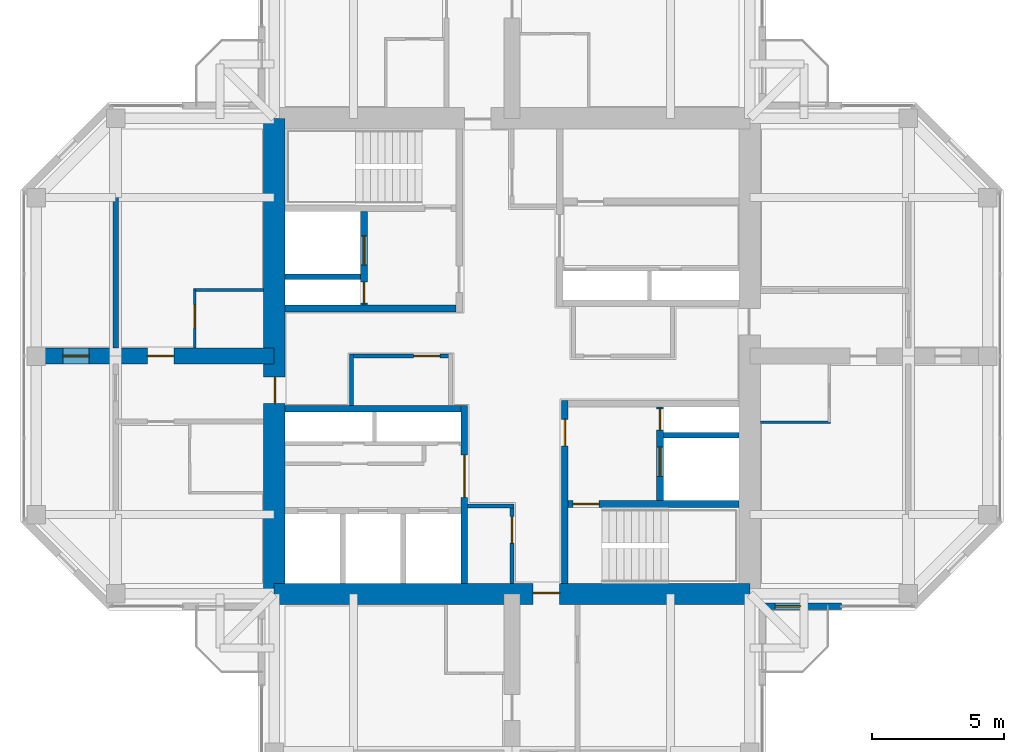
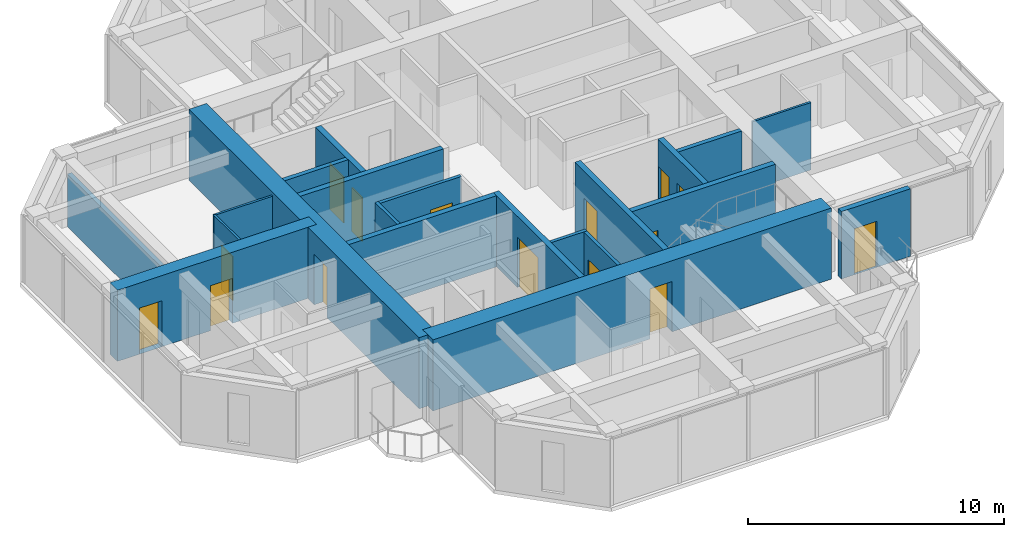
# One storey, part 9 of 13: 21 walls, 15 doors, 15 openings.
"""IFC4 building model written with IfcOpenShell, lengths in metres."""

from ifc_helpers import new_model, si_unit, direction, frame, frame_2d, origin, place, context, subcontext, project, spatial, rectangle, hollow_rectangle, extrude, material, layer, layer_set, constituent, constituent_set, type_object, element, fill, save


model = new_model("IFC4")

# Units and contexts
model_context = context("Model", 3, precision=1e-05, world=origin(), true_north=direction((0.0, 1.0)))
body_context = subcontext(model_context, "Body", "Model", "MODEL_VIEW")
ifc_project = project(units=[si_unit("LENGTHUNIT", "METRE"), si_unit("AREAUNIT", "SQUARE_METRE"), si_unit("VOLUMEUNIT", "CUBIC_METRE"), si_unit("PLANEANGLEUNIT", "RADIAN"), si_unit("MASSUNIT", "GRAM", prefix="KILO")], contexts=[model_context])

# Site, building, storey
site_placement = place(None, origin())
site = spatial("IfcSite", under=ifc_project, at=site_placement, CompositionType="ELEMENT")
building_placement = place(site_placement, origin())
building = spatial("IfcBuilding", under=site, at=building_placement, Name="Torre Cruceta", CompositionType="ELEMENT")
storey_placement = place(building_placement, frame((0.0, 0.0, 271.300048828125)))
storey = spatial("IfcBuildingStorey", under=building, at=storey_placement, Name="L70", CompositionType="ELEMENT", Elevation=271.300048828125)

# Walls
ifc_material_1 = material(Name="Water-resistant plasterboard on steel studs", Category="steel")
ifc_layer_1 = layer(ifc_material_1, 0.10009765625)
ifc_layer_set_1 = layer_set([ifc_layer_1], Name="Water-resistant plasterboard on steel studs")
wall_type_1 = type_object("IfcWallType", Name="BATHROOM WALL 100", PredefinedType="PARTITIONING", material=ifc_layer_set_1)
for number, where, z_axis, x_axis, name in (
    (1, (9.39990234375, -2.5, 0.0), (0.0, 0.0, 1.0), (1.0, 0.0, 0.0), "PT4 L70-E-U1RBB"),
    (2, (-9.39990234375, 2.5, 0.0), (0.0, 0.0, 1.0), (-1.0, 0.0, 0.0), "PT4 L70-W-U1RBB"),
):
    element("IfcWall", number, at=place(storey_placement, frame(where, z_axis=z_axis, x_axis=x_axis)), inside=storey, type_object=wall_type_1, Name=name, PredefinedType="PARTITIONING", context=body_context, shape_type="SweptSolid", body=[
        extrude(rectangle(XDim=2.650146484375, YDim=0.10009765625, at=frame_2d((1.3251953125, 0.0))), origin(), (0.0, 0.0, 1.0), 3.219970703125),
    ])

# Wall, opening, door
wall_1_placement = place(storey_placement, frame((-12.0, 2.5, 0.0), z_axis=(0.0, 0.0, 1.0), x_axis=(0.0, -1.0, 0.0)))
wall_1 = element("IfcWall", 3, at=wall_1_placement, inside=storey, type_object=wall_type_1, Name="PT4 L70-W-U1RBS", PredefinedType="PARTITIONING", context=body_context, shape_type="SweptSolid", body=[
    extrude(rectangle(XDim=2.199951171875, YDim=0.10009765625, at=frame_2d((1.10009765625, 0.0))), origin(), (0.0, 0.0, 1.0), 3.219970703125),
])
opening_1_placement = place(wall_1_placement, frame((0.550048828125, 0.0, 0.0)))
opening_1 = element("IfcOpeningElement", 4, at=opening_1_placement, cuts=wall_1, Name="Opening D7", PredefinedType="OPENING", context=body_context, shape_type="SweptSolid", body=[
    extrude(rectangle(XDim=0.89990234375, YDim=2.10009765625, at=frame_2d((0.449951171875, 1.050048828125))), frame((0.0, 0.06005859375, 0.0), z_axis=(0.0, -1.0, 0.0), x_axis=(1.0, 0.0, 0.0)), (0.0, 0.0, 1.0), 0.1201171875),
])
ifc_material_2 = material(Name="Timber door", Category="wood")
door_type_1 = type_object("IfcDoorType", Name="BATHROOM DOOR 900X2100", OperationType="SINGLE_SWING_LEFT", PredefinedType="DOOR", material=ifc_material_2)
door_1_placement = place(opening_1_placement, origin())
door_1 = element("IfcDoor", 5, at=door_1_placement, inside=storey, type_object=door_type_1, Name="D7 L70-W-U1RBS-D1", OperationType="SINGLE_SWING_LEFT", OverallHeight=2.10009765625, OverallWidth=0.89990234375, PredefinedType="DOOR", context=body_context, shape_type="SweptSolid", body=[
    extrude(rectangle(XDim=0.89990234375, YDim=2.10009765625, at=frame_2d((0.449951171875, 1.050048828125))), frame((0.0, 0.02490234375, 0.0), z_axis=(0.0, -1.0, 0.0), x_axis=(1.0, 0.0, 0.0)), (0.0, 0.0, 1.0), 0.050048828125),
])
fill(opening_1, door_1)

# Wall
ifc_material_3 = material(Name="Concrete G60 (fck 60 MPa)", Category="concrete")
ifc_layer_2 = layer(ifc_material_3, 0.25)
ifc_layer_set_2 = layer_set([ifc_layer_2], Name="Concrete G60 (fck 60 MPa)")
wall_type_2 = type_object("IfcWallType", Name="CORE INNER WALL 250 G60", PredefinedType="SHEAR", material=ifc_layer_set_2)
wall_2_placement = place(storey_placement, frame((-2.125, 1.800048828125, 0.0), z_axis=(0.0, 0.0, 1.0), x_axis=(-1.0, 0.0, 0.0)))
element("IfcWall", 6, at=wall_2_placement, inside=storey, type_object=wall_type_2, Name="CW4 L70 NW-CV", PredefinedType="SHEAR", context=body_context, shape_type="SweptSolid", body=[
    extrude(rectangle(XDim=6.47509765625, YDim=0.25, at=frame_2d((3.237548828125, 0.0))), origin(), (0.0, 0.0, 1.0), 3.39990234375),
])

# Wall, openings, doors
wall_3_placement = place(storey_placement, frame((-5.60009765625, 1.925048828125, 0.0), z_axis=(0.0, 0.0, 1.0), x_axis=(0.0, 1.0, 0.0)))
wall_3 = element("IfcWall", 7, at=wall_3_placement, inside=storey, type_object=wall_type_2, Name="CW4 L70 NW-FU", PredefinedType="SHEAR", context=body_context, shape_type="SweptSolid", body=[
    extrude(rectangle(XDim=3.550048828125, YDim=0.25, at=frame_2d((1.77490234375, 0.0))), origin(), (0.0, 0.0, 1.0), 3.39990234375),
])
opening_2_placement = place(wall_3_placement, frame((1.52490234375, 0.0, 0.0)))
opening_2 = element("IfcOpeningElement", 8, at=opening_2_placement, cuts=wall_3, Name="Opening LD1", PredefinedType="OPENING", context=body_context, shape_type="SweptSolid", body=[
    extrude(rectangle(XDim=1.10009765625, YDim=2.199951171875, at=frame_2d((0.550048828125, 1.10009765625))), frame((0.0, 0.135009765625, 0.0), z_axis=(0.0, -1.0, 0.0), x_axis=(1.0, 0.0, 0.0)), (0.0, 0.0, 1.0), 0.27001953125),
])
opening_3_placement = place(wall_3_placement, frame((0.074951171875, 0.0, 0.0)))
opening_3 = element("IfcOpeningElement", 9, at=opening_3_placement, cuts=wall_3, Name="Opening D5", PredefinedType="OPENING", context=body_context, shape_type="SweptSolid", body=[
    extrude(rectangle(XDim=0.800048828125, YDim=2.10009765625, at=frame_2d((0.39990234375, 1.050048828125))), frame((0.0, 0.135009765625, 0.0), z_axis=(0.0, -1.0, 0.0), x_axis=(1.0, 0.0, 0.0)), (0.0, 0.0, 1.0), 0.27001953125),
])
ifc_material_4 = material(Name="Stainless steel 1.4401", Category="steel")
door_type_2 = type_object("IfcDoorType", Name="LIFT LANDING DOOR 1100X2200", OperationType="DOUBLE_DOOR_SLIDING", PredefinedType="DOOR", material=ifc_material_4)
door_2_placement = place(opening_2_placement, origin())
door_2 = element("IfcDoor", 10, at=door_2_placement, inside=storey, type_object=door_type_2, Name="Lift landing door FL1", OperationType="DOUBLE_DOOR_SLIDING", OverallHeight=2.199951171875, OverallWidth=1.10009765625, PredefinedType="DOOR", context=body_context, shape_type="SweptSolid", body=[
    extrude(rectangle(XDim=1.10009765625, YDim=2.199951171875, at=frame_2d((0.550048828125, 1.10009765625))), frame((0.0, 0.02490234375, 0.0), z_axis=(0.0, -1.0, 0.0), x_axis=(1.0, 0.0, 0.0)), (0.0, 0.0, 1.0), 0.050048828125),
])
fill(opening_2, door_2)
ifc_material_5 = material(Name="Steel DX51D", Category="steel")
ifc_constituent_1 = constituent(ifc_material_5, Name="Leaf and frame")
ifc_material_6 = material(Name="Polyester powder coating", Category="paint")
ifc_constituent_2 = constituent(ifc_material_6, Name="Finish")
ifc_constituent_set_1 = constituent_set(constituents=[ifc_constituent_1, ifc_constituent_2], Name="Steel fire door")
door_type_3 = type_object("IfcDoorType", Name="RISER ACCESS DOOR 800X2100", OperationType="SINGLE_SWING_LEFT", PredefinedType="DOOR", material=ifc_constituent_set_1)
door_3_placement = place(opening_3_placement, origin())
door_3 = element("IfcDoor", 11, at=door_3_placement, inside=storey, type_object=door_type_3, Name="D5 L70 NW-RISER", OperationType="SINGLE_SWING_LEFT", OverallHeight=2.10009765625, OverallWidth=0.800048828125, PredefinedType="DOOR", context=body_context, shape_type="SweptSolid", body=[
    extrude(rectangle(XDim=0.800048828125, YDim=2.10009765625, at=frame_2d((0.39990234375, 1.050048828125))), frame((0.0, 0.02490234375, 0.0), z_axis=(0.0, -1.0, 0.0), x_axis=(1.0, 0.0, 0.0)), (0.0, 0.0, 1.0), 0.050048828125),
])
fill(opening_3, door_3)

# Wall, opening, door
wall_4_placement = place(storey_placement, frame((-1.800048828125, -1.875, 0.0), z_axis=(0.0, 0.0, 1.0), x_axis=(0.0, -1.0, 0.0)))
wall_4 = element("IfcWall", 12, at=wall_4_placement, inside=storey, type_object=wall_type_2, Name="CW4 L70 SW-CU", PredefinedType="SHEAR", context=body_context, shape_type="SweptSolid", body=[
    extrude(rectangle(XDim=6.72509765625, YDim=0.25, at=frame_2d((3.362548828125, 0.0))), origin(), (0.0, 0.0, 1.0), 3.39990234375),
])
opening_4_placement = place(wall_4_placement, frame((1.875, 0.0, 0.0)))
opening_4 = element("IfcOpeningElement", 13, at=opening_4_placement, cuts=wall_4, Name="Opening D8", PredefinedType="OPENING", context=body_context, shape_type="SweptSolid", body=[
    extrude(rectangle(XDim=1.60009765625, YDim=2.39990234375, at=frame_2d((0.800048828125, 1.199951171875))), frame((0.0, 0.135009765625, 0.0), z_axis=(0.0, -1.0, 0.0), x_axis=(1.0, 0.0, 0.0)), (0.0, 0.0, 1.0), 0.27001953125),
])
ifc_material_7 = material(Name="Steel DX51D", Category="steel")
ifc_constituent_3 = constituent(ifc_material_7, Name="Leaf and frame")
ifc_material_8 = material(Name="Polyester powder coating", Category="paint")
ifc_constituent_4 = constituent(ifc_material_8, Name="Finish")
ifc_material_9 = material(Name="Fire-resisting glass", Category="glass")
ifc_constituent_5 = constituent(ifc_material_9, Name="Vision panel")
ifc_constituent_set_2 = constituent_set(constituents=[ifc_constituent_3, ifc_constituent_4, ifc_constituent_5], Name="Steel fire door with vision panels")
door_type_4 = type_object("IfcDoorType", Name="LIFT LOBBY DOUBLE DOOR 1600X2400", OperationType="DOUBLE_DOOR_DOUBLE_SWING", PredefinedType="DOOR", material=ifc_constituent_set_2)
door_4_placement = place(opening_4_placement, origin())
door_4 = element("IfcDoor", 14, at=door_4_placement, inside=storey, type_object=door_type_4, Name="D8 L70 SW-LOBBY", OperationType="DOUBLE_DOOR_DOUBLE_SWING", OverallHeight=2.39990234375, OverallWidth=1.60009765625, PredefinedType="DOOR", context=body_context, shape_type="SweptSolid", body=[
    extrude(rectangle(XDim=1.60009765625, YDim=2.39990234375, at=frame_2d((0.800048828125, 1.199951171875))), frame((0.0, 0.02490234375, 0.0), z_axis=(0.0, -1.0, 0.0), x_axis=(1.0, 0.0, 0.0)), (0.0, 0.0, 1.0), 0.050048828125),
])
fill(opening_4, door_4)

# Wall
wall_5_placement = place(storey_placement, frame((-1.925048828125, -2.0, 0.0), z_axis=(0.0, 0.0, 1.0), x_axis=(-1.0, 0.0, 0.0)))
element("IfcWall", 15, at=wall_5_placement, inside=storey, type_object=wall_type_2, Name="CW4 L70 SW-CV", PredefinedType="SHEAR", context=body_context, shape_type="SweptSolid", body=[
    extrude(rectangle(XDim=6.675048828125, YDim=0.25, at=frame_2d((3.33740234375, 0.0))), origin(), (0.0, 0.0, 1.0), 3.39990234375),
])

# Wall, opening, door
wall_6_placement = place(storey_placement, frame((2.0, -1.675048828125, 0.0), z_axis=(0.0, 0.0, 1.0), x_axis=(0.0, -1.0, 0.0)))
wall_6 = element("IfcWall", 16, at=wall_6_placement, inside=storey, type_object=wall_type_2, Name="CW4 L70 SE-CU", PredefinedType="SHEAR", context=body_context, shape_type="SweptSolid", body=[
    extrude(rectangle(XDim=6.925048828125, YDim=0.25, at=frame_2d((3.46240234375, 0.0))), origin(), (0.0, 0.0, 1.0), 3.39990234375),
])
opening_5_placement = place(wall_6_placement, frame((0.72509765625, 0.0, 0.0)))
opening_5 = element("IfcOpeningElement", 17, at=opening_5_placement, cuts=wall_6, Name="Opening D3", PredefinedType="OPENING", context=body_context, shape_type="SweptSolid", body=[
    extrude(rectangle(XDim=1.0, YDim=2.10009765625, at=frame_2d((0.5, 1.050048828125))), frame((0.0, 0.135009765625, 0.0), z_axis=(0.0, -1.0, 0.0), x_axis=(1.0, 0.0, 0.0)), (0.0, 0.0, 1.0), 0.27001953125),
])
ifc_material_10 = material(Name="Steel DX51D", Category="steel")
ifc_constituent_6 = constituent(ifc_material_10, Name="Leaf and frame")
ifc_material_11 = material(Name="Polyester powder coating", Category="paint")
ifc_constituent_7 = constituent(ifc_material_11, Name="Finish")
ifc_constituent_set_3 = constituent_set(constituents=[ifc_constituent_6, ifc_constituent_7], Name="Steel fire door")
door_type_5 = type_object("IfcDoorType", Name="FIRE DOOR 1000X2100", OperationType="SINGLE_SWING_LEFT", PredefinedType="DOOR", material=ifc_constituent_set_3)
door_5_placement = place(opening_5_placement, origin())
door_5 = element("IfcDoor", 18, at=door_5_placement, inside=storey, type_object=door_type_5, Name="D3 L70 SE-LOBBY", OperationType="SINGLE_SWING_LEFT", OverallHeight=2.10009765625, OverallWidth=1.0, PredefinedType="DOOR", context=body_context, shape_type="SweptSolid", body=[
    extrude(rectangle(XDim=1.0, YDim=2.10009765625, at=frame_2d((0.5, 1.050048828125))), frame((0.0, 0.02490234375, 0.0), z_axis=(0.0, -1.0, 0.0), x_axis=(1.0, 0.0, 0.0)), (0.0, 0.0, 1.0), 0.050048828125),
])
fill(opening_5, door_5)

wall_7_placement = place(storey_placement, frame((2.125, -5.60009765625, 0.0), z_axis=(0.0, 0.0, 1.0), x_axis=(1.0, 0.0, 0.0)))
wall_7 = element("IfcWall", 19, at=wall_7_placement, inside=storey, type_object=wall_type_2, Name="CW4 L70 SE-SV", PredefinedType="SHEAR", context=body_context, shape_type="SweptSolid", body=[
    extrude(rectangle(XDim=6.47509765625, YDim=0.25, at=frame_2d((3.237548828125, 0.0))), origin(), (0.0, 0.0, 1.0), 3.39990234375),
])
opening_6_placement = place(wall_7_placement, frame((0.175048828125, 0.0, 0.0)))
opening_6 = element("IfcOpeningElement", 20, at=opening_6_placement, cuts=wall_7, Name="Opening D3", PredefinedType="OPENING", context=body_context, shape_type="SweptSolid", body=[
    extrude(rectangle(XDim=1.0, YDim=2.10009765625, at=frame_2d((0.5, 1.050048828125))), frame((0.0, 0.135009765625, 0.0), z_axis=(0.0, -1.0, 0.0), x_axis=(1.0, 0.0, 0.0)), (0.0, 0.0, 1.0), 0.27001953125),
])
door_6_placement = place(opening_6_placement, frame((1.0, 0.0, 0.0), z_axis=(0.0, 0.0, 1.0), x_axis=(-1.0, 0.0, 0.0)))
door_6 = element("IfcDoor", 21, at=door_6_placement, inside=storey, type_object=door_type_5, Name="D3 L70 SE-STAIR", OperationType="SINGLE_SWING_RIGHT", OverallHeight=2.10009765625, OverallWidth=1.0, PredefinedType="DOOR", context=body_context, shape_type="SweptSolid", body=[
    extrude(rectangle(XDim=1.0, YDim=2.10009765625, at=frame_2d((0.5, 1.050048828125))), frame((0.0, 0.025146484375, 0.0), z_axis=(0.0, -1.0, 0.0), x_axis=(1.0, 0.0, 0.0)), (0.0, 0.0, 1.0), 0.050048828125),
])
fill(opening_6, door_6)

# Wall, openings, doors
wall_8_placement = place(storey_placement, frame((5.60009765625, -1.925048828125, 0.0), z_axis=(0.0, 0.0, 1.0), x_axis=(0.0, -1.0, 0.0)))
wall_8 = element("IfcWall", 22, at=wall_8_placement, inside=storey, type_object=wall_type_2, Name="CW4 L70 SE-FU", PredefinedType="SHEAR", context=body_context, shape_type="SweptSolid", body=[
    extrude(rectangle(XDim=3.550048828125, YDim=0.25, at=frame_2d((1.77490234375, 0.0))), origin(), (0.0, 0.0, 1.0), 3.39990234375),
])
opening_7_placement = place(wall_8_placement, frame((1.52490234375, 0.0, 0.0)))
opening_7 = element("IfcOpeningElement", 23, at=opening_7_placement, cuts=wall_8, Name="Opening LD1", PredefinedType="OPENING", context=body_context, shape_type="SweptSolid", body=[
    extrude(rectangle(XDim=1.10009765625, YDim=2.199951171875, at=frame_2d((0.550048828125, 1.10009765625))), frame((0.0, 0.135009765625, 0.0), z_axis=(0.0, -1.0, 0.0), x_axis=(1.0, 0.0, 0.0)), (0.0, 0.0, 1.0), 0.27001953125),
])
opening_8_placement = place(wall_8_placement, frame((0.074951171875, 0.0, 0.0)))
opening_8 = element("IfcOpeningElement", 24, at=opening_8_placement, cuts=wall_8, Name="Opening D5", PredefinedType="OPENING", context=body_context, shape_type="SweptSolid", body=[
    extrude(rectangle(XDim=0.800048828125, YDim=2.10009765625, at=frame_2d((0.39990234375, 1.050048828125))), frame((0.0, 0.135009765625, 0.0), z_axis=(0.0, -1.0, 0.0), x_axis=(1.0, 0.0, 0.0)), (0.0, 0.0, 1.0), 0.27001953125),
])
door_7_placement = place(opening_7_placement, origin())
door_7 = element("IfcDoor", 25, at=door_7_placement, inside=storey, type_object=door_type_2, Name="Lift landing door FL2", OperationType="DOUBLE_DOOR_SLIDING", OverallHeight=2.199951171875, OverallWidth=1.10009765625, PredefinedType="DOOR", context=body_context, shape_type="SweptSolid", body=[
    extrude(rectangle(XDim=1.10009765625, YDim=2.199951171875, at=frame_2d((0.550048828125, 1.10009765625))), frame((0.0, 0.02490234375, 0.0), z_axis=(0.0, -1.0, 0.0), x_axis=(1.0, 0.0, 0.0)), (0.0, 0.0, 1.0), 0.050048828125),
])
fill(opening_7, door_7)
door_8_placement = place(opening_8_placement, origin())
door_8 = element("IfcDoor", 26, at=door_8_placement, inside=storey, type_object=door_type_3, Name="D5 L70 SE-RISER", OperationType="SINGLE_SWING_LEFT", OverallHeight=2.10009765625, OverallWidth=0.800048828125, PredefinedType="DOOR", context=body_context, shape_type="SweptSolid", body=[
    extrude(rectangle(XDim=0.800048828125, YDim=2.10009765625, at=frame_2d((0.39990234375, 1.050048828125))), frame((0.0, 0.02490234375, 0.0), z_axis=(0.0, -1.0, 0.0), x_axis=(1.0, 0.0, 0.0)), (0.0, 0.0, 1.0), 0.050048828125),
])
fill(opening_8, door_8)

# Wall, opening, door
ifc_material_12 = material(Name="Concrete G60 (fck 60 MPa)", Category="concrete")
ifc_layer_3 = layer(ifc_material_12, 0.800048828125)
ifc_layer_set_3 = layer_set([ifc_layer_3], Name="Concrete G60 (fck 60 MPa)")
wall_type_3 = type_object("IfcWallType", Name="CORE WALL 800 G60", PredefinedType="SHEAR", material=ifc_layer_set_3)
wall_9_placement = place(storey_placement, frame((-9.0, -9.0, 0.0), z_axis=(0.0, 0.0, 1.0), x_axis=(1.0, 0.0, 0.0)))
wall_9 = element("IfcWall", 27, at=wall_9_placement, inside=storey, type_object=wall_type_3, Name="CW3 L70 CW-S", PredefinedType="SHEAR", context=body_context, shape_type="SweptSolid", body=[
    extrude(rectangle(XDim=18.0, YDim=0.800048828125, at=frame_2d((9.0, 0.0))), origin(), (0.0, 0.0, 1.0), 3.39990234375),
])
opening_9_placement = place(wall_9_placement, frame((9.800048828125, 0.0, 0.0)))
opening_9 = element("IfcOpeningElement", 28, at=opening_9_placement, cuts=wall_9, Name="Opening D4", PredefinedType="OPENING", context=body_context, shape_type="SweptSolid", body=[
    extrude(rectangle(XDim=1.0, YDim=2.39990234375, at=frame_2d((0.5, 1.199951171875))), frame((0.0, 0.409912109375, 0.0), z_axis=(0.0, -1.0, 0.0), x_axis=(1.0, 0.0, 0.0)), (0.0, 0.0, 1.0), 0.820068359375),
])
ifc_material_13 = material(Name="Steel DX51D", Category="steel")
ifc_constituent_8 = constituent(ifc_material_13, Name="Leaf and frame")
ifc_material_14 = material(Name="Polyester powder coating", Category="paint")
ifc_constituent_9 = constituent(ifc_material_14, Name="Finish")
ifc_constituent_set_4 = constituent_set(constituents=[ifc_constituent_8, ifc_constituent_9], Name="Steel fire door")
door_type_6 = type_object("IfcDoorType", Name="CORE ARM DOOR 1000X2400", OperationType="SINGLE_SWING_RIGHT", PredefinedType="DOOR", material=ifc_constituent_set_4)
door_9_placement = place(opening_9_placement, origin())
door_9 = element("IfcDoor", 29, at=door_9_placement, inside=storey, type_object=door_type_6, Name="D4 L70 CW-S", OperationType="SINGLE_SWING_RIGHT", OverallHeight=2.39990234375, OverallWidth=1.0, PredefinedType="DOOR", context=body_context, shape_type="SweptSolid", body=[
    extrude(rectangle(XDim=1.0, YDim=2.39990234375, at=frame_2d((0.5, 1.199951171875))), frame((0.0, 0.05517578125, 0.0), z_axis=(0.0, -1.0, 0.0), x_axis=(1.0, 0.0, 0.0)), (0.0, 0.0, 1.0), 0.050048828125),
])
fill(opening_9, door_9)

wall_10_placement = place(storey_placement, frame((-9.0, 9.0, 0.0), z_axis=(0.0, 0.0, 1.0), x_axis=(0.0, -1.0, 0.0)))
wall_10 = element("IfcWall", 30, at=wall_10_placement, inside=storey, type_object=wall_type_3, Name="CW3 L70 CW-W", PredefinedType="SHEAR", context=body_context, shape_type="SweptSolid", body=[
    extrude(rectangle(XDim=18.0, YDim=0.800048828125, at=frame_2d((9.0, 0.0))), origin(), (0.0, 0.0, 1.0), 3.39990234375),
])
opening_10_placement = place(wall_10_placement, frame((9.800048828125, 0.0, 0.0)))
opening_10 = element("IfcOpeningElement", 31, at=opening_10_placement, cuts=wall_10, Name="Opening D4", PredefinedType="OPENING", context=body_context, shape_type="SweptSolid", body=[
    extrude(rectangle(XDim=1.0, YDim=2.39990234375, at=frame_2d((0.5, 1.199951171875))), frame((0.0, 0.409912109375, 0.0), z_axis=(0.0, -1.0, 0.0), x_axis=(1.0, 0.0, 0.0)), (0.0, 0.0, 1.0), 0.820068359375),
])
door_10_placement = place(opening_10_placement, origin())
door_10 = element("IfcDoor", 32, at=door_10_placement, inside=storey, type_object=door_type_6, Name="D4 L70 CW-W", OperationType="SINGLE_SWING_RIGHT", OverallHeight=2.39990234375, OverallWidth=1.0, PredefinedType="DOOR", context=body_context, shape_type="SweptSolid", body=[
    extrude(rectangle(XDim=1.0, YDim=2.39990234375, at=frame_2d((0.5, 1.199951171875))), frame((0.0, 0.05517578125, 0.0), z_axis=(0.0, -1.0, 0.0), x_axis=(1.0, 0.0, 0.0)), (0.0, 0.0, 1.0), 0.050048828125),
])
fill(opening_10, door_10)

# Walls
ifc_material_15 = material(Name="Concrete G35 (fck 35 MPa)", Category="concrete")
ifc_layer_4 = layer(ifc_material_15, 0.199951171875)
ifc_layer_set_4 = layer_set([ifc_layer_4], Name="Concrete G35 (fck 35 MPa)")
wall_type_4 = type_object("IfcWallType", Name="LIFT SHAFT WALL 200", PredefinedType="PARTITIONING", material=ifc_layer_set_4)
for number, where, z_axis, x_axis, name in (
    (33, (-5.72509765625, 3.0, 0.0), (0.0, 0.0, 1.0), (-1.0, 0.0, 0.0), "SW1 L70 NW-FR"),
    (34, (5.72509765625, -3.0, 0.0), (0.0, 0.0, 1.0), (1.0, 0.0, 0.0), "SW1 L70 SE-FR"),
):
    element("IfcWall", number, at=place(storey_placement, frame(where, z_axis=z_axis, x_axis=x_axis)), inside=storey, type_object=wall_type_4, Name=name, PredefinedType="PARTITIONING", context=body_context, shape_type="SweptSolid", body=[
        extrude(rectangle(XDim=2.875, YDim=0.199951171875, at=frame_2d((1.4375, 0.0))), origin(), (0.0, 0.0, 1.0), 3.39990234375),
    ])

# Wall, opening, door
ifc_material_16 = material(Name="Plasterboard on steel studs", Category="steel")
ifc_layer_5 = layer(ifc_material_16, 0.14990234375)
ifc_layer_set_5 = layer_set([ifc_layer_5], Name="Plasterboard on steel studs")
wall_type_5 = type_object("IfcWallType", Name="PARTITION 150", PredefinedType="PARTITIONING", material=ifc_layer_set_5)
wall_11_placement = place(storey_placement, frame((-2.324951171875, 0.0, 0.0), z_axis=(0.0, 0.0, 1.0), x_axis=(-1.0, 0.0, 0.0)))
wall_11 = element("IfcWall", 35, at=wall_11_placement, inside=storey, type_object=wall_type_5, Name="PT1 L70-CORE-LEGW-S-W1", PredefinedType="PARTITIONING", context=body_context, shape_type="SweptSolid", body=[
    extrude(rectangle(XDim=3.75, YDim=0.14990234375, at=frame_2d((1.875, 0.0))), origin(), (0.0, 0.0, 1.0), 3.219970703125),
])
opening_11_placement = place(wall_11_placement, frame((0.39990234375, 0.0, 0.0)))
opening_11 = element("IfcOpeningElement", 36, at=opening_11_placement, cuts=wall_11, Name="Opening D3", PredefinedType="OPENING", context=body_context, shape_type="SweptSolid", body=[
    extrude(rectangle(XDim=1.0, YDim=2.10009765625, at=frame_2d((0.5, 1.050048828125))), frame((0.0, 0.0849609375, 0.0), z_axis=(0.0, -1.0, 0.0), x_axis=(1.0, 0.0, 0.0)), (0.0, 0.0, 1.0), 0.169921875),
])
door_11_placement = place(opening_11_placement, origin())
door_11 = element("IfcDoor", 37, at=door_11_placement, inside=storey, type_object=door_type_5, Name="D3 L70-CORE-LEGW-S-W1-D1", OperationType="SINGLE_SWING_LEFT", OverallHeight=2.10009765625, OverallWidth=1.0, PredefinedType="DOOR", context=body_context, shape_type="SweptSolid", body=[
    extrude(rectangle(XDim=1.0, YDim=2.10009765625, at=frame_2d((0.5, 1.050048828125))), frame((0.0, 0.02490234375, 0.0), z_axis=(0.0, -1.0, 0.0), x_axis=(1.0, 0.0, 0.0)), (0.0, 0.0, 1.0), 0.050048828125),
])
fill(opening_11, door_11)

# Wall
wall_12_placement = place(storey_placement, frame((-6.074951171875, 0.074951171875, 0.0), z_axis=(0.0, 0.0, 1.0), x_axis=(0.0, -1.0, 0.0)))
element("IfcWall", 38, at=wall_12_placement, inside=storey, type_object=wall_type_5, Name="PT1 L70-CORE-LEGW-S-W3", PredefinedType="PARTITIONING", context=body_context, shape_type="SweptSolid", body=[
    extrude(rectangle(XDim=1.949951171875, YDim=0.14990234375, at=frame_2d((0.97509765625, 0.0))), origin(), (0.0, 0.0, 1.0), 3.219970703125),
])

# Wall, opening, door
wall_13_placement = place(storey_placement, frame((0.0, -5.675048828125, 0.0), z_axis=(0.0, 0.0, 1.0), x_axis=(0.0, -1.0, 0.0)))
wall_13 = element("IfcWall", 39, at=wall_13_placement, inside=storey, type_object=wall_type_5, Name="PT1 L70-CORE-LEGS-W-W1", PredefinedType="PARTITIONING", context=body_context, shape_type="SweptSolid", body=[
    extrude(rectangle(XDim=2.925048828125, YDim=0.14990234375, at=frame_2d((1.46240234375, 0.0))), origin(), (0.0, 0.0, 1.0), 3.219970703125),
])
opening_12_placement = place(wall_13_placement, frame((0.39990234375, 0.0, 0.0)))
opening_12 = element("IfcOpeningElement", 40, at=opening_12_placement, cuts=wall_13, Name="Opening D3", PredefinedType="OPENING", context=body_context, shape_type="SweptSolid", body=[
    extrude(rectangle(XDim=1.0, YDim=2.10009765625, at=frame_2d((0.5, 1.050048828125))), frame((0.0, 0.0849609375, 0.0), z_axis=(0.0, -1.0, 0.0), x_axis=(1.0, 0.0, 0.0)), (0.0, 0.0, 1.0), 0.169921875),
])
door_12_placement = place(opening_12_placement, frame((1.0, 0.0, 0.0), z_axis=(0.0, 0.0, 1.0), x_axis=(-1.0, 0.0, 0.0)))
door_12 = element("IfcDoor", 41, at=door_12_placement, inside=storey, type_object=door_type_5, Name="D3 L70-CORE-LEGS-W-W1-D1", OperationType="SINGLE_SWING_RIGHT", OverallHeight=2.10009765625, OverallWidth=1.0, PredefinedType="DOOR", context=body_context, shape_type="SweptSolid", body=[
    extrude(rectangle(XDim=1.0, YDim=2.10009765625, at=frame_2d((0.5, 1.050048828125))), frame((0.0, 0.025146484375, 0.0), z_axis=(0.0, -1.0, 0.0), x_axis=(1.0, 0.0, 0.0)), (0.0, 0.0, 1.0), 0.050048828125),
])
fill(opening_12, door_12)

# Wall
wall_14_placement = place(storey_placement, frame((-1.675048828125, -5.675048828125, 0.0), z_axis=(0.0, 0.0, 1.0), x_axis=(1.0, 0.0, 0.0)))
element("IfcWall", 42, at=wall_14_placement, inside=storey, type_object=wall_type_5, Name="PT1 L70-CORE-LEGS-W-W2", PredefinedType="PARTITIONING", context=body_context, shape_type="SweptSolid", body=[
    extrude(rectangle(XDim=1.75, YDim=0.14990234375, at=frame_2d((0.875, 0.0))), origin(), (0.0, 0.0, 1.0), 3.219970703125),
])

# Wall, openings, doors
ifc_material_17 = material(Name="Concrete G60 (fck 60 MPa)", Category="concrete")
ifc_layer_6 = layer(ifc_material_17, 0.60009765625)
ifc_layer_set_6 = layer_set([ifc_layer_6], Name="Concrete G60 (fck 60 MPa)")
wall_type_6 = type_object("IfcWallType", Name="SPINE WALL 600 G60", PredefinedType="SHEAR", material=ifc_layer_set_6)
wall_15_placement = place(storey_placement, frame((-9.0, 0.0, 0.0), z_axis=(0.0, 0.0, 1.0), x_axis=(-1.0, 0.0, 0.0)))
wall_15 = element("IfcWall", 43, at=wall_15_placement, inside=storey, type_object=wall_type_6, Name="SW5 spine wall L70 W", PredefinedType="SHEAR", context=body_context, shape_type="SweptSolid", body=[
    extrude(rectangle(XDim=9.0, YDim=0.60009765625, at=frame_2d((4.5, 0.0))), origin(), (0.0, 0.0, 1.0), 3.39990234375),
])
opening_13_placement = place(wall_15_placement, frame((3.800048828125, 0.0, 0.0)))
opening_13 = element("IfcOpeningElement", 44, at=opening_13_placement, cuts=wall_15, Name="Opening D6", PredefinedType="OPENING", context=body_context, shape_type="SweptSolid", body=[
    extrude(rectangle(XDim=1.0, YDim=2.14990234375, at=frame_2d((0.5, 1.074951171875))), frame((0.0, 0.31005859375, 0.0), z_axis=(0.0, -1.0, 0.0), x_axis=(1.0, 0.0, 0.0)), (0.0, 0.0, 1.0), 0.6201171875),
])
opening_14_placement = place(wall_15_placement, frame((7.0, 0.0, 0.0)))
opening_14 = element("IfcOpeningElement", 45, at=opening_14_placement, cuts=wall_15, Name="Opening D14", PredefinedType="OPENING", context=body_context, shape_type="SweptSolid", body=[
    extrude(rectangle(XDim=1.0, YDim=2.199951171875, at=frame_2d((0.5, 1.10009765625))), frame((0.0, 0.31005859375, 0.0), z_axis=(0.0, -1.0, 0.0), x_axis=(1.0, 0.0, 0.0)), (0.0, 0.0, 1.0), 0.6201171875),
])
ifc_material_18 = material(Name="Steel DX51D", Category="steel")
ifc_constituent_10 = constituent(ifc_material_18, Name="Leaf and frame")
ifc_material_19 = material(Name="Polyester powder coating", Category="paint")
ifc_constituent_11 = constituent(ifc_material_19, Name="Finish")
ifc_material_20 = material(Name="Fire-resisting glass", Category="glass")
ifc_constituent_12 = constituent(ifc_material_20, Name="Vision panel")
ifc_constituent_set_5 = constituent_set(constituents=[ifc_constituent_10, ifc_constituent_11, ifc_constituent_12], Name="Steel fire door with vision panel")
door_type_7 = type_object("IfcDoorType", Name="FIRE DOOR VISION PANEL 1000X2200", OperationType="SINGLE_SWING_RIGHT", PredefinedType="DOOR", material=ifc_constituent_set_5)
door_13_placement = place(opening_14_placement, origin())
door_13 = element("IfcDoor", 46, at=door_13_placement, inside=storey, type_object=door_type_7, Name="D14 L70-W-SP2", OperationType="SINGLE_SWING_LEFT", OverallHeight=2.199951171875, OverallWidth=1.0, PredefinedType="DOOR", context=body_context, shape_type="SweptSolid", body=[
    extrude(rectangle(XDim=1.0, YDim=2.199951171875, at=frame_2d((0.5, 1.10009765625))), frame((0.0, 0.02490234375, 0.0), z_axis=(0.0, -1.0, 0.0), x_axis=(1.0, 0.0, 0.0)), (0.0, 0.0, 1.0), 0.050048828125),
])
fill(opening_14, door_13)
ifc_material_21 = material(Name="Timber fire door", Category="wood")
door_type_8 = type_object("IfcDoorType", Name="UNIT ENTRANCE DOOR 1000X2150", OperationType="SINGLE_SWING_LEFT", PredefinedType="DOOR", material=ifc_material_21)
door_14_placement = place(opening_13_placement, frame((1.0, 0.0, 0.0), z_axis=(0.0, 0.0, 1.0), x_axis=(-1.0, 0.0, 0.0)))
door_14 = element("IfcDoor", 47, at=door_14_placement, inside=storey, type_object=door_type_8, Name="D6 L70-W-SP1", OperationType="SINGLE_SWING_RIGHT", OverallHeight=2.14990234375, OverallWidth=1.0, PredefinedType="DOOR", context=body_context, shape_type="SweptSolid", body=[
    extrude(rectangle(XDim=1.0, YDim=2.14990234375, at=frame_2d((0.5, 1.074951171875))), frame((0.0, 0.025146484375, 0.0), z_axis=(0.0, -1.0, 0.0), x_axis=(1.0, 0.0, 0.0)), (0.0, 0.0, 1.0), 0.050048828125),
])
fill(opening_13, door_14)

# Wall
ifc_material_22 = material(Name="Concrete G25 (fck 25 MPa)", Category="concrete")
ifc_layer_7 = layer(ifc_material_22, 0.199951171875)
ifc_layer_set_7 = layer_set([ifc_layer_7], Name="Concrete G25 (fck 25 MPa)")
wall_type_7 = type_object("IfcWallType", Name="UNIT SEPARATING WALL 200", PredefinedType="SOLIDWALL", material=ifc_layer_set_7)
wall_16_placement = place(storey_placement, frame((-15.0, 8.64990234375, 0.0), z_axis=(0.0, 0.0, 1.0), x_axis=(0.0, -1.0, 0.0)))
element("IfcWall", 48, at=wall_16_placement, inside=storey, type_object=wall_type_7, Name="PT2 L70-W-ENDa", PredefinedType="SOLIDWALL", context=body_context, shape_type="SweptSolid", body=[
    extrude(rectangle(XDim=8.349853515625, YDim=0.199951171875, at=frame_2d((4.1748046875, 0.0))), origin(), (0.0, 0.0, 1.0), 2.52001953125),
])

# Wall, opening, door
ifc_material_23 = material(Name="Concrete G30 (fck 30 MPa)", Category="concrete")
ifc_layer_8 = layer(ifc_material_23, 0.25)
ifc_layer_set_8 = layer_set([ifc_layer_8], Name="Concrete G30 (fck 30 MPa)")
wall_type_8 = type_object("IfcWallType", Name="WINTER GARDEN WALL 250", PredefinedType="SOLIDWALL", material=ifc_layer_set_8)
wall_17_placement = place(storey_placement, frame((9.344970703125, -9.469970703125, 0.0), z_axis=(0.0, 0.0, 1.0), x_axis=(1.0, 0.0, 0.0)))
wall_17 = element("IfcWall", 49, at=wall_17_placement, inside=storey, type_object=wall_type_8, Name="EW2 winter garden wall L70 00", PredefinedType="SOLIDWALL", context=body_context, shape_type="SweptSolid", body=[
    extrude(rectangle(XDim=3.125, YDim=0.25, at=frame_2d((1.5625, 0.0))), origin(), (0.0, 0.0, 1.0), 3.219970703125),
])
opening_15_placement = place(wall_17_placement, frame((0.60009765625, 0.0, 0.0)))
opening_15 = element("IfcOpeningElement", 50, at=opening_15_placement, cuts=wall_17, Name="Opening D10", PredefinedType="OPENING", context=body_context, shape_type="SweptSolid", body=[
    extrude(rectangle(XDim=1.0, YDim=2.199951171875, at=frame_2d((0.5, 1.10009765625))), frame((0.0, 0.135009765625, 0.0), z_axis=(0.0, -1.0, 0.0), x_axis=(1.0, 0.0, 0.0)), (0.0, 0.0, 1.0), 0.27001953125),
])
ifc_material_24 = material(Name="Aluminium door frame", Category="aluminium")
ifc_constituent_13 = constituent(ifc_material_24, Name="Frame")
ifc_material_25 = material(Name="Laminated safety glass", Category="glass")
ifc_constituent_14 = constituent(ifc_material_25, Name="Glazing")
ifc_constituent_set_6 = constituent_set(constituents=[ifc_constituent_13, ifc_constituent_14], Name="Aluminium glazed door")
door_type_9 = type_object("IfcDoorType", Name="BALCONY DOOR 1000X2200", OperationType="SINGLE_SWING_RIGHT", PredefinedType="DOOR", material=ifc_constituent_set_6)
door_15_placement = place(opening_15_placement, origin())
door_15 = element("IfcDoor", 51, at=door_15_placement, inside=storey, type_object=door_type_9, Name="D10 balcony door L70 00", OperationType="SINGLE_SWING_LEFT", OverallHeight=2.199951171875, OverallWidth=1.0, PredefinedType="DOOR", context=body_context, shape_type="SweptSolid", body=[
    extrude(hollow_rectangle(XDim=1.0, YDim=2.199951171875, WallThickness=0.06005859375, at=frame_2d((0.5, 1.10009765625))), frame((0.0, 0.02490234375, 0.0), z_axis=(0.0, -1.0, 0.0), x_axis=(1.0, 0.0, 0.0)), (0.0, 0.0, 1.0), 0.050048828125),
    extrude(rectangle(XDim=0.87890625, YDim=2.078857421875, at=frame_2d((0.5, 1.10009765625))), frame((0.0, 0.02490234375, 0.0), z_axis=(0.0, -1.0, 0.0), x_axis=(1.0, 0.0, 0.0)), (0.0, 0.0, 1.0), 0.050048828125),
])
fill(opening_15, door_15)

save(model, "model.ifc")
